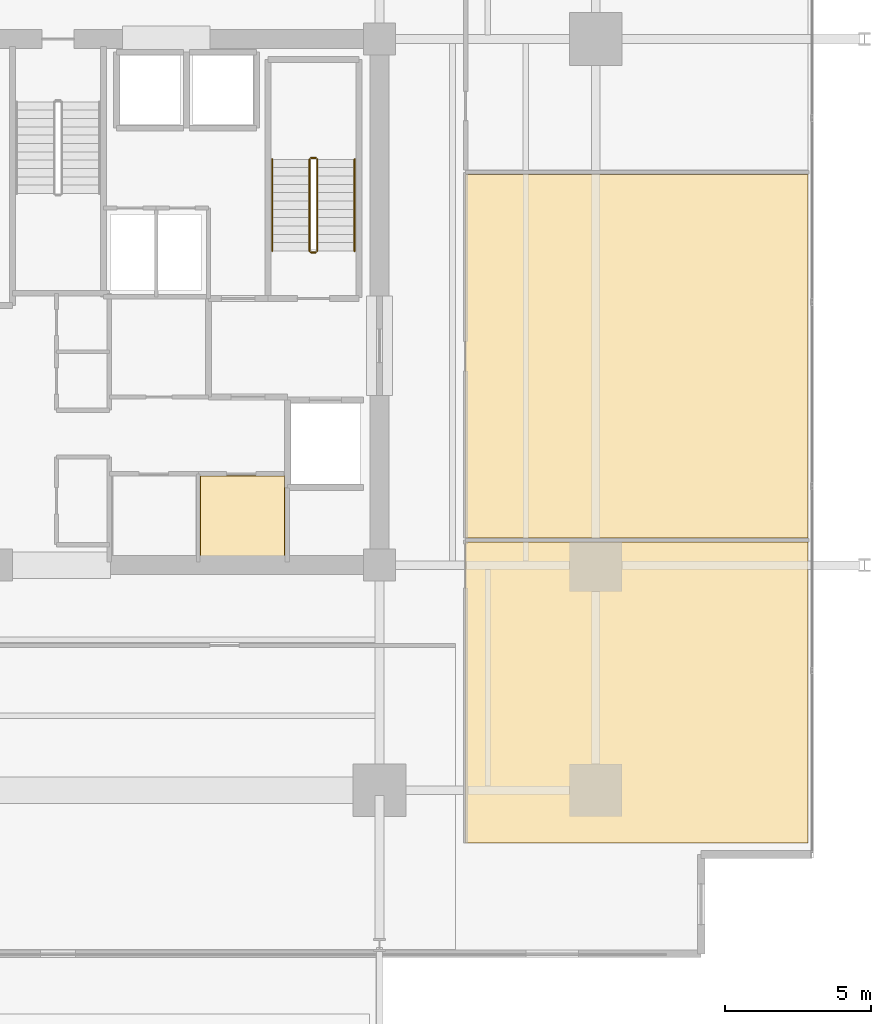
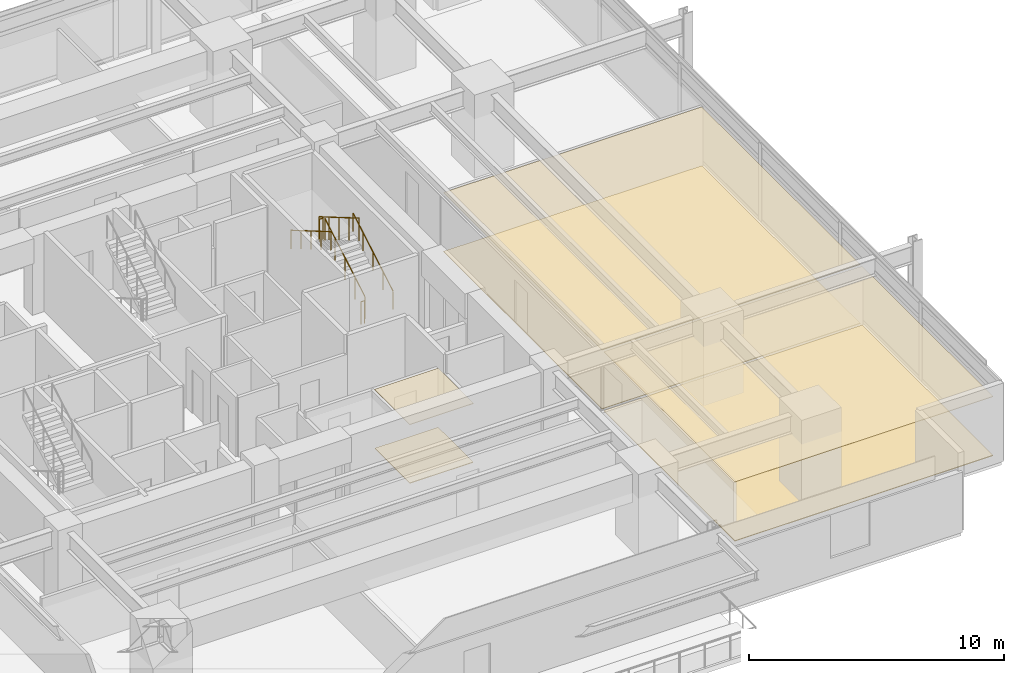
# One storey, part 20 of 22: 6 coverings, 6 railings.
"""IFC4 building model written with IfcOpenShell, lengths in metres."""

from ifc_helpers import new_model, si_unit, direction, frame, origin, origin_2d, place, context, subcontext, project, spatial, polyline, circle, outline, extrude, material, layer, layer_set, type_object, element, save


model = new_model("IFC4")

# Units and contexts
model_context = context("Model", 3, precision=1e-05, world=origin(), true_north=direction((0.0, 1.0)))
body_context = subcontext(model_context, "Body", "Model", "MODEL_VIEW")
ifc_project = project(units=[si_unit("LENGTHUNIT", "METRE"), si_unit("AREAUNIT", "SQUARE_METRE"), si_unit("VOLUMEUNIT", "CUBIC_METRE"), si_unit("PLANEANGLEUNIT", "RADIAN"), si_unit("MASSUNIT", "GRAM", prefix="KILO")], contexts=[model_context])

# Site, building, storey
site_placement = place(None, origin())
site = spatial("IfcSite", under=ifc_project, at=site_placement, CompositionType="ELEMENT")
building_placement = place(site_placement, origin())
building = spatial("IfcBuilding", under=site, at=building_placement, Name="Kovane Verandah Tower", CompositionType="ELEMENT")
storey_placement = place(building_placement, frame((0.0, 0.0, 59.60009765625)))
storey = spatial("IfcBuildingStorey", under=building, at=storey_placement, Name="L13", CompositionType="ELEMENT", Elevation=59.60009765625)

# Coverings
ifc_material_1 = material(Name="Perforated Acoustic Mineral-Fibre Ceiling Tile", Category="gypsum")
ifc_layer_1 = layer(ifc_material_1, 0.02490234375)
ifc_layer_set_1 = layer_set([ifc_layer_1], Name="Perforated Acoustic Mineral-Fibre Ceiling Tile")
covering_type_1 = type_object("IfcCoveringType", Name="CV-CEIL-25", PredefinedType="CEILING", material=ifc_layer_set_1)
covering_1_placement = place(storey_placement, frame((0.0, 0.0, 2.824951171875)))
element("IfcCovering", 1, at=covering_1_placement, inside=storey, type_object=covering_type_1, Name="L13 East IT Server Room Acoustic Ceiling", PredefinedType="CEILING", context=body_context, shape_type="SweptSolid", body=[
    extrude(outline(polyline([(44.864990234375, 18.784912109375), (47.764892578125, 18.784912109375), (47.764892578125, 21.56494140625), (44.864990234375, 21.56494140625), (44.864990234375, 18.784912109375)])), origin(), (0.0, 0.0, 1.0), 0.02490234375),
])
covering_2_placement = place(storey_placement, frame((0.0, 0.0, 2.824951171875)))
element("IfcCovering", 2, at=covering_2_placement, inside=storey, type_object=covering_type_1, Name="L13 Client Boardroom E1 Acoustic Ceiling", PredefinedType="CEILING", context=body_context, shape_type="SweptSolid", body=[
    extrude(outline(polyline([(53.949951171875, 8.996337890625), (65.6552734375, 8.996337890625), (65.6552734375, 19.288330078125), (53.949951171875, 19.288330078125), (53.949951171875, 8.996337890625)])), origin(), (0.0, 0.0, 1.0), 0.02490234375),
])
covering_3_placement = place(storey_placement, frame((0.0, 0.0, 2.824951171875)))
element("IfcCovering", 3, at=covering_3_placement, inside=storey, type_object=covering_type_1, Name="L13 Meeting Room E2 Acoustic Ceiling", PredefinedType="CEILING", context=body_context, shape_type="SweptSolid", body=[
    extrude(outline(polyline([(53.949951171875, 19.428466796875), (65.6552734375, 19.428466796875), (65.6552734375, 31.870849609375), (53.949951171875, 31.870849609375), (53.949951171875, 19.428466796875)])), origin(), (0.0, 0.0, 1.0), 0.02490234375),
])
ifc_material_2 = material(Name="Polished Terrazzo and Raised-Access Carpet Tile Finish", Category="concrete")
ifc_layer_2 = layer(ifc_material_2, 0.030029296875)
ifc_layer_set_2 = layer_set([ifc_layer_2], Name="Polished Terrazzo and Raised-Access Carpet Tile Finish")
covering_type_2 = type_object("IfcCoveringType", Name="CV-FLOR-30", PredefinedType="FLOORING", material=ifc_layer_set_2)
covering_4_placement = place(storey_placement, origin())
element("IfcCovering", 4, at=covering_4_placement, inside=storey, type_object=covering_type_2, Name="L13 East IT Server Room Floor Finish", PredefinedType="FLOORING", context=body_context, shape_type="SweptSolid", body=[
    extrude(outline(polyline([(44.8798828125, 18.800048828125), (47.75, 18.800048828125), (47.75, 21.550048828125), (44.8798828125, 21.550048828125), (44.8798828125, 18.800048828125)])), origin(), (0.0, 0.0, 1.0), 0.02978515625),
])
covering_5_placement = place(storey_placement, origin())
element("IfcCovering", 5, at=covering_5_placement, inside=storey, type_object=covering_type_2, Name="L13 Client Boardroom E1 Floor Finish", PredefinedType="FLOORING", context=body_context, shape_type="SweptSolid", body=[
    extrude(outline(polyline([(53.949951171875, 8.996337890625), (65.6552734375, 8.996337890625), (65.6552734375, 19.288330078125), (53.949951171875, 19.288330078125), (53.949951171875, 8.996337890625)])), origin(), (0.0, 0.0, 1.0), 0.02978515625),
])
covering_6_placement = place(storey_placement, origin())
element("IfcCovering", 6, at=covering_6_placement, inside=storey, type_object=covering_type_2, Name="L13 Meeting Room E2 Floor Finish", PredefinedType="FLOORING", context=body_context, shape_type="SweptSolid", body=[
    extrude(outline(polyline([(53.949951171875, 19.428466796875), (65.6552734375, 19.428466796875), (65.6552734375, 31.870849609375), (53.949951171875, 31.870849609375), (53.949951171875, 19.428466796875)])), origin(), (0.0, 0.0, 1.0), 0.02978515625),
])

# Railings
ifc_material_3 = material(Name="Brushed Stainless Steel Handrail", Category="steel")
railing_type_1 = type_object("IfcRailingType", Name="RL-HAND-920", PredefinedType="HANDRAIL", material=ifc_material_3)
railing_1_placement = place(storey_placement, frame((50.14990234375, 29.25, 0.16650390625)))
element("IfcRailing", 7, at=railing_1_placement, inside=storey, type_object=railing_type_1, Name="L13 ST-02 stair handrail 1", PredefinedType="HANDRAIL", context=body_context, shape_type="SweptSolid", body=[
    extrude(circle(Radius=0.02392578125, at=origin_2d()), frame((0.0, 0.0, 0.8759765625), z_axis=(0.0, 0.863210265497, 0.504844567704), x_axis=(-1.0, 0.0, 0.0)), (0.0, 0.0, 1.0), 3.6318359375),
    extrude(circle(Radius=0.02099609375, at=origin_2d()), origin(), (0.0, 0.0, 1.0), 0.851806640625),
    extrude(circle(Radius=0.02099609375, at=origin_2d()), frame((0.0, 0.78369140625, 0.45849609375)), (0.0, 0.0, 1.0), 0.851806640625),
    extrude(circle(Radius=0.02099609375, at=origin_2d()), frame((0.0, 1.5673828125, 0.916748046875)), (0.0, 0.0, 1.0), 0.851806640625),
    extrude(circle(Radius=0.02099609375, at=origin_2d()), frame((0.0, 2.351318359375, 1.375)), (0.0, 0.0, 1.0), 0.851806640625),
    extrude(circle(Radius=0.02099609375, at=origin_2d()), frame((0.0, 3.135009765625, 1.83349609375)), (0.0, 0.0, 1.0), 0.851806640625),
])
railing_2_placement = place(storey_placement, frame((47.330078125, 32.385009765625, 2.16650390625)))
element("IfcRailing", 8, at=railing_2_placement, inside=storey, type_object=railing_type_1, Name="L13 ST-02 stair handrail 2", PredefinedType="HANDRAIL", context=body_context, shape_type="SweptSolid", body=[
    extrude(circle(Radius=0.02392578125, at=origin_2d()), frame((0.0, 0.0, 0.8759765625), z_axis=(0.0, -0.863210265497, 0.504844567704), x_axis=(1.0, 0.0, 0.0)), (0.0, 0.0, 1.0), 3.6318359375),
    extrude(circle(Radius=0.02099609375, at=origin_2d()), origin(), (0.0, 0.0, 1.0), 0.851806640625),
    extrude(circle(Radius=0.02099609375, at=origin_2d()), frame((0.0, -0.78369140625, 0.45849609375)), (0.0, 0.0, 1.0), 0.851806640625),
    extrude(circle(Radius=0.02099609375, at=origin_2d()), frame((0.0, -1.5673828125, 0.916748046875)), (0.0, 0.0, 1.0), 0.851806640625),
    extrude(circle(Radius=0.02099609375, at=origin_2d()), frame((0.0, -2.351318359375, 1.375)), (0.0, 0.0, 1.0), 0.851806640625),
    extrude(circle(Radius=0.02099609375, at=origin_2d()), frame((0.0, -3.135009765625, 1.83349609375)), (0.0, 0.0, 1.0), 0.851806640625),
])
ifc_material_4 = material(Name="Painted Steel Stairwell Guardrail", Category="steel")
railing_type_2 = type_object("IfcRailingType", Name="RL-STGUARD-1120", PredefinedType="GUARDRAIL", material=ifc_material_4)
railing_3_placement = place(storey_placement, frame((48.8701171875, 29.25, 0.16650390625)))
element("IfcRailing", 9, at=railing_3_placement, inside=storey, type_object=railing_type_2, Name="L13 ST-02 stair guard 1", PredefinedType="GUARDRAIL", context=body_context, shape_type="SweptSolid", body=[
    extrude(circle(Radius=0.02392578125, at=origin_2d()), frame((0.0, 0.0, 1.076171875), z_axis=(0.0, 0.863210265497, 0.504844567704), x_axis=(-1.0, 0.0, 0.0)), (0.0, 0.0, 1.0), 3.6318359375),
    extrude(circle(Radius=0.02099609375, at=origin_2d()), origin(), (0.0, 0.0, 1.0), 1.052001953125),
    extrude(circle(Radius=0.02099609375, at=origin_2d()), frame((0.0, 0.78369140625, 0.45849609375)), (0.0, 0.0, 1.0), 1.052001953125),
    extrude(circle(Radius=0.02099609375, at=origin_2d()), frame((0.0, 1.5673828125, 0.916748046875)), (0.0, 0.0, 1.0), 1.052001953125),
    extrude(circle(Radius=0.02099609375, at=origin_2d()), frame((0.0, 2.351318359375, 1.375)), (0.0, 0.0, 1.0), 1.052001953125),
    extrude(circle(Radius=0.02099609375, at=origin_2d()), frame((0.0, 3.135009765625, 1.83349609375)), (0.0, 0.0, 1.0), 1.052001953125),
])
railing_4_placement = place(storey_placement, frame((48.820068359375, 32.43505859375, 2.0)))
element("IfcRailing", 10, at=railing_4_placement, inside=storey, type_object=railing_type_2, Name="L13 ST-02 stair guard 2", PredefinedType="GUARDRAIL", context=body_context, shape_type="SweptSolid", body=[
    extrude(circle(Radius=0.02392578125, at=origin_2d()), frame((0.0, 0.0, 1.076171875), z_axis=(-1.0, 0.0, 0.0), x_axis=(0.0, -1.0, 0.0)), (0.0, 0.0, 1.0), 0.16015625),
    extrude(circle(Radius=0.02099609375, at=origin_2d()), origin(), (0.0, 0.0, 1.0), 1.052001953125),
    extrude(circle(Radius=0.02099609375, at=origin_2d()), frame((-0.16015625, 0.0, 0.0)), (0.0, 0.0, 1.0), 1.052001953125),
])
railing_5_placement = place(storey_placement, frame((48.610107421875, 32.385009765625, 2.16650390625)))
element("IfcRailing", 11, at=railing_5_placement, inside=storey, type_object=railing_type_2, Name="L13 ST-02 stair guard 3", PredefinedType="GUARDRAIL", context=body_context, shape_type="SweptSolid", body=[
    extrude(circle(Radius=0.02392578125, at=origin_2d()), frame((0.0, 0.0, 1.076171875), z_axis=(0.0, -0.863210265497, 0.504844567704), x_axis=(1.0, 0.0, 0.0)), (0.0, 0.0, 1.0), 3.6318359375),
    extrude(circle(Radius=0.02099609375, at=origin_2d()), origin(), (0.0, 0.0, 1.0), 1.052001953125),
    extrude(circle(Radius=0.02099609375, at=origin_2d()), frame((0.0, -0.78369140625, 0.45849609375)), (0.0, 0.0, 1.0), 1.052001953125),
    extrude(circle(Radius=0.02099609375, at=origin_2d()), frame((0.0, -1.5673828125, 0.916748046875)), (0.0, 0.0, 1.0), 1.052001953125),
    extrude(circle(Radius=0.02099609375, at=origin_2d()), frame((0.0, -2.351318359375, 1.375)), (0.0, 0.0, 1.0), 1.052001953125),
    extrude(circle(Radius=0.02099609375, at=origin_2d()), frame((0.0, -3.135009765625, 1.83349609375)), (0.0, 0.0, 1.0), 1.052001953125),
])
railing_6_placement = place(storey_placement, frame((48.820068359375, 29.199951171875, 0.0)))
element("IfcRailing", 12, at=railing_6_placement, inside=storey, type_object=railing_type_2, Name="L13 ST-02 stair guard 4", PredefinedType="GUARDRAIL", context=body_context, shape_type="SweptSolid", body=[
    extrude(circle(Radius=0.02392578125, at=origin_2d()), frame((0.0, 0.0, 1.076171875), z_axis=(-1.0, 0.0, 0.0), x_axis=(0.0, -1.0, 0.0)), (0.0, 0.0, 1.0), 0.16015625),
    extrude(circle(Radius=0.02099609375, at=origin_2d()), origin(), (0.0, 0.0, 1.0), 1.052001953125),
    extrude(circle(Radius=0.02099609375, at=origin_2d()), frame((-0.16015625, 0.0, 0.0)), (0.0, 0.0, 1.0), 1.052001953125),
])

save(model, "model.ifc")
